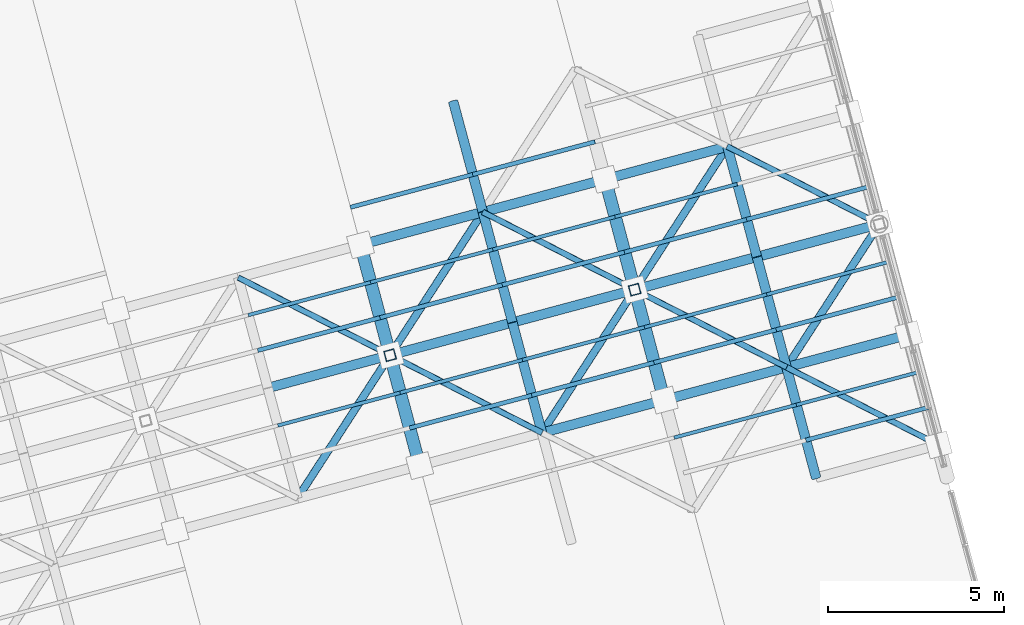
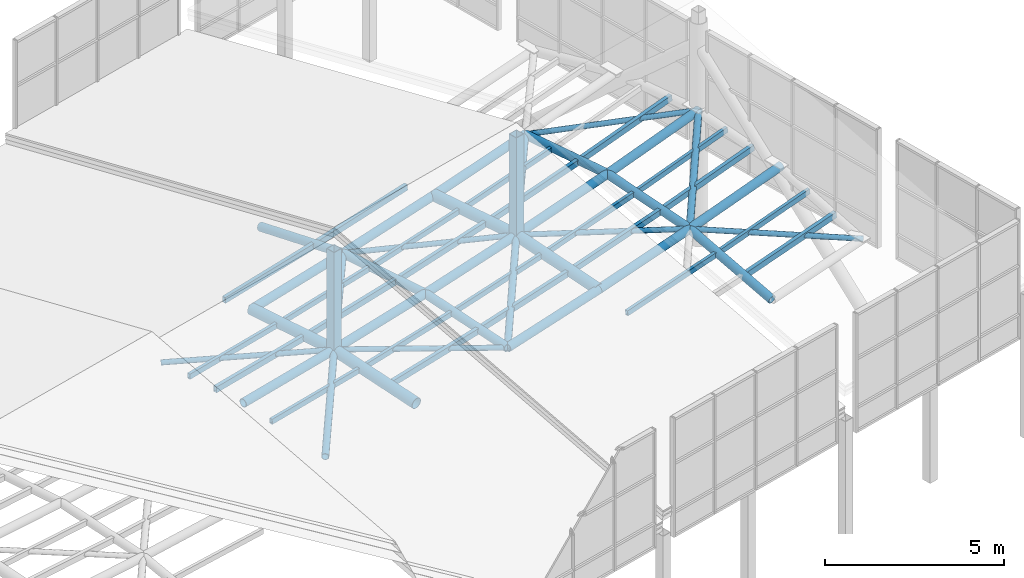
# One storey, part 16 of 28: 57 members.
"""IFC4 building model written with IfcOpenShell, lengths in metres."""

from ifc_helpers import new_model, si_unit, direction, frame, origin, origin_2d, place, context, subcontext, project, spatial, hollow_rectangle, hollow_circle, extrude, material, material_profile, profile_set, type_object, element, save


model = new_model("IFC4")

# Units and contexts
model_context = context("Model", 3, precision=1e-05, world=origin(), true_north=direction((0.0, 1.0)))
body_context = subcontext(model_context, "Body", "Model", "MODEL_VIEW")
ifc_project = project(units=[si_unit("LENGTHUNIT", "METRE"), si_unit("AREAUNIT", "SQUARE_METRE"), si_unit("VOLUMEUNIT", "CUBIC_METRE"), si_unit("PLANEANGLEUNIT", "RADIAN"), si_unit("MASSUNIT", "GRAM", prefix="KILO")], contexts=[model_context])

# Site, building, storey
site_placement = place(None, origin())
site = spatial("IfcSite", under=ifc_project, at=site_placement, CompositionType="ELEMENT")
building_placement = place(site_placement, origin())
building = spatial("IfcBuilding", under=site, at=building_placement, Name="Ventoquebrada Cableway Terminal", CompositionType="ELEMENT")
storey_placement = place(building_placement, frame((0.0, 0.0, 23.39990234375)))
storey = spatial("IfcBuildingStorey", under=building, at=storey_placement, Name="RF", CompositionType="ELEMENT", Elevation=23.39990234375)

# Members
ifc_material = material(Name="Steel ASTM A500 Grade C", Category="steel")
ifc_material_profile_1 = material_profile(ifc_material, hollow_circle(Radius=0.109619140625, WallThickness=0.010009765625, at=origin_2d()), Name="CHS219.1X10")
ifc_profile_set_1 = profile_set([ifc_material_profile_1], Name="Steel ASTM A500 Grade C")
member_type_1 = type_object("IfcMemberType", Name="BRC-GS01", PredefinedType="BRACE", material=ifc_profile_set_1)
member_1_placement = place(storey_placement, frame((66.841064453125, 83.861083984375, -0.204833984375), z_axis=(0.54270611612, 0.838110751152, 0.055140187958), x_axis=(-0.839387776795, 0.543533035028, 0.0)))
element("IfcMember", 1, at=member_1_placement, inside=storey, type_object=member_type_1, Name="Saddle gridshell diagrid brace GBR-0322", PredefinedType="BRACE", context=body_context, shape_type="SweptSolid", body=[
    extrude(hollow_circle(Radius=0.109619140625, WallThickness=0.010009765625, at=origin_2d()), origin(), (0.0, 0.0, 1.0), 4.857177734375),
])
member_2_placement = place(storey_placement, frame((69.47705078125, 87.931884765625, 0.06298828125), z_axis=(0.543522253057, 0.839110598067, -0.021839520214), x_axis=(-0.839310782724, 0.543651919892, 0.0)))
element("IfcMember", 2, at=member_2_placement, inside=storey, type_object=member_type_1, Name="Saddle gridshell diagrid brace GBR-0349", PredefinedType="BRACE", context=body_context, shape_type="SweptSolid", body=[
    extrude(hollow_circle(Radius=0.109619140625, WallThickness=0.010009765625, at=origin_2d()), origin(), (0.0, 0.0, 1.0), 4.8515625),
])
member_3_placement = place(storey_placement, frame((73.7958984375, 85.72412109375, -0.04296875), z_axis=(0.541186086306, 0.835763341953, 0.09282917772), x_axis=(-0.839387776795, 0.543533035028, 0.0)))
element("IfcMember", 3, at=member_3_placement, inside=storey, type_object=member_type_1, Name="Saddle gridshell diagrid brace GBR-0370", PredefinedType="BRACE", context=body_context, shape_type="SweptSolid", body=[
    extrude(hollow_circle(Radius=0.109619140625, WallThickness=0.010009765625, at=origin_2d()), origin(), (0.0, 0.0, 1.0), 4.870849609375),
])
member_4_placement = place(storey_placement, frame((76.431884765625, 89.794921875, 0.4091796875), z_axis=(0.54353223096, 0.839359136068, 0.006996756816), x_axis=(-0.83937968207, 0.543545535652, 0.0)))
element("IfcMember", 4, at=member_4_placement, inside=storey, type_object=member_type_1, Name="Saddle gridshell diagrid brace GBR-0397", PredefinedType="BRACE", context=body_context, shape_type="SweptSolid", body=[
    extrude(hollow_circle(Radius=0.109619140625, WallThickness=0.010009765625, at=origin_2d()), origin(), (0.0, 0.0, 1.0), 4.85009765625),
])
member_5_placement = place(storey_placement, frame((80.75, 87.587890625, 0.443115234375), z_axis=(0.538732586686, 0.831716126562, 0.134221774907), x_axis=(-0.839310782724, 0.543651919892, 0.0)))
element("IfcMember", 5, at=member_5_placement, inside=storey, type_object=member_type_1, Name="Saddle gridshell diagrid brace GBR-0418", PredefinedType="BRACE", context=body_context, shape_type="SweptSolid", body=[
    extrude(hollow_circle(Radius=0.109619140625, WallThickness=0.010009765625, at=origin_2d()), origin(), (0.0, 0.0, 1.0), 4.894775390625),
])
ifc_material_profile_2 = material_profile(ifc_material, hollow_circle(Radius=0.084228515625, WallThickness=0.008056640625, at=origin_2d()), Name="CHS168.3X8")
ifc_profile_set_2 = profile_set([ifc_material_profile_2], Name="Steel ASTM A500 Grade C")
member_type_2 = type_object("IfcMemberType", Name="BRC-GS02", PredefinedType="BRACE", material=ifc_profile_set_2)
member_6_placement = place(storey_placement, frame((65.158935546875, 90.138916015625, -0.204833984375), z_axis=(0.889080290332, -0.454417698004, 0.055143386583), x_axis=(0.455110172756, 0.890435135568, 0.0)))
element("IfcMember", 6, at=member_6_placement, inside=storey, type_object=member_type_2, Name="Saddle gridshell diagrid brace GBR-0325", PredefinedType="BRACE", context=body_context, shape_type="SweptSolid", body=[
    extrude(hollow_circle(Radius=0.084228515625, WallThickness=0.008056640625, at=origin_2d()), origin(), (0.0, 0.0, 1.0), 4.85693359375),
])
member_7_placement = place(storey_placement, frame((69.47705078125, 87.931884765625, 0.06298828125), z_axis=(0.890192843045, -0.455060140173, -0.021839666132), x_axis=(0.45516870426, 0.890405217113, 0.0)))
element("IfcMember", 7, at=member_7_placement, inside=storey, type_object=member_type_2, Name="Saddle gridshell diagrid brace GBR-0346", PredefinedType="BRACE", context=body_context, shape_type="SweptSolid", body=[
    extrude(hollow_circle(Radius=0.084228515625, WallThickness=0.008056640625, at=origin_2d()), origin(), (0.0, 0.0, 1.0), 4.8515625),
])
member_8_placement = place(storey_placement, frame((72.114013671875, 92.0029296875, -0.04296875), z_axis=(0.886498543226, -0.453324257884, 0.09283022176), x_axis=(0.455290222831, 0.890343087239, 0.0)))
element("IfcMember", 8, at=member_8_placement, inside=storey, type_object=member_type_2, Name="Saddle gridshell diagrid brace GBR-0373", PredefinedType="BRACE", context=body_context, shape_type="SweptSolid", body=[
    extrude(hollow_circle(Radius=0.084228515625, WallThickness=0.008056640625, at=origin_2d()), origin(), (0.0, 0.0, 1.0), 4.87060546875),
])
member_9_placement = place(storey_placement, frame((76.431884765625, 89.794921875, 0.4091796875), z_axis=(0.890413334279, -0.455099029902, 0.006997651013), x_axis=(0.455110172756, 0.890435135568, 0.0)))
element("IfcMember", 9, at=member_9_placement, inside=storey, type_object=member_type_2, Name="Saddle gridshell diagrid brace GBR-0394", PredefinedType="BRACE", context=body_context, shape_type="SweptSolid", body=[
    extrude(hollow_circle(Radius=0.084228515625, WallThickness=0.008056640625, at=origin_2d()), origin(), (0.0, 0.0, 1.0), 4.849609375),
])
member_10_placement = place(storey_placement, frame((80.75, 87.587890625, 0.443115234375), z_axis=(0.885458483806, -0.45266443545, -0.105157892402), x_axis=(0.455188209039, 0.890395246142, 0.0)))
element("IfcMember", 10, at=member_10_placement, inside=storey, type_object=member_type_2, Name="Saddle gridshell diagrid brace GBR-0415", PredefinedType="BRACE", context=body_context, shape_type="SweptSolid", body=[
    extrude(hollow_circle(Radius=0.084228515625, WallThickness=0.008056640625, at=origin_2d()), origin(), (0.0, 0.0, 1.0), 4.877685546875),
])
member_11_placement = place(storey_placement, frame((79.068115234375, 93.865966796875, 0.443115234375), z_axis=(0.882407665793, -0.450930768727, 0.134231714452), x_axis=(0.455048974729, 0.890466411831, 0.0)))
element("IfcMember", 11, at=member_11_placement, inside=storey, type_object=member_type_2, Name="Saddle gridshell diagrid brace GBR-0421", PredefinedType="BRACE", context=body_context, shape_type="SweptSolid", body=[
    extrude(hollow_circle(Radius=0.084228515625, WallThickness=0.008056640625, at=origin_2d()), origin(), (0.0, 0.0, 1.0), 4.894287109375),
])
ifc_material_profile_3 = material_profile(ifc_material, hollow_circle(Radius=0.177734375, WallThickness=0.012451171875, at=origin_2d()), Name="CHS355.6X12.5")
ifc_profile_set_3 = profile_set([ifc_material_profile_3], Name="Steel ASTM A500 Grade C")
member_type_3 = type_object("IfcMemberType", Name="CHD-GS01", PredefinedType="CHORD", material=ifc_profile_set_3)
member_12_placement = place(storey_placement, frame((70.318115234375, 84.7919921875, -0.163818359375), z_axis=(-0.258114799549, 0.96360361016, 0.069604832738), x_axis=(-0.965946375494, -0.258742342242, 0.0)))
element("IfcMember", 12, at=member_12_placement, inside=storey, type_object=member_type_3, Name="Saddle gridshell arch chord GCH-0066", PredefinedType="CHORD", context=body_context, shape_type="SweptSolid", body=[
    extrude(hollow_circle(Radius=0.177734375, WallThickness=0.012451171875, at=origin_2d()), origin(), (0.0, 0.0, 1.0), 3.258544921875),
])
member_13_placement = place(storey_placement, frame((69.47705078125, 87.931884765625, 0.06298828125), z_axis=(-0.258170716916, 0.963587540815, -0.069619911761), x_axis=(-0.965931285943, -0.258798668539, 0.0)))
element("IfcMember", 13, at=member_13_placement, inside=storey, type_object=member_type_3, Name="Saddle gridshell arch chord GCH-0067", PredefinedType="CHORD", context=body_context, shape_type="SweptSolid", body=[
    extrude(hollow_circle(Radius=0.177734375, WallThickness=0.012451171875, at=origin_2d()), origin(), (0.0, 0.0, 1.0), 3.2578125),
])
member_14_placement = place(storey_placement, frame((77.27294921875, 86.656005859375, 0.1591796875), z_axis=(-0.25805493216, 0.963080482666, 0.076704862273), x_axis=(-0.965926253902, -0.258817449225, 0.0)))
element("IfcMember", 14, at=member_14_placement, inside=storey, type_object=member_type_3, Name="Saddle gridshell arch chord GCH-0082", PredefinedType="CHORD", context=body_context, shape_type="SweptSolid", body=[
    extrude(hollow_circle(Radius=0.177734375, WallThickness=0.012451171875, at=origin_2d()), origin(), (0.0, 0.0, 1.0), 3.25927734375),
])
member_15_placement = place(storey_placement, frame((76.431884765625, 89.794921875, 0.4091796875), z_axis=(-0.257891982727, 0.963126214236, -0.07667868476), x_axis=(-0.965970169845, -0.258653495953, 0.0)))
element("IfcMember", 15, at=member_15_placement, inside=storey, type_object=member_type_3, Name="Saddle gridshell arch chord GCH-0083", PredefinedType="CHORD", context=body_context, shape_type="SweptSolid", body=[
    extrude(hollow_circle(Radius=0.177734375, WallThickness=0.012451171875, at=origin_2d()), origin(), (0.0, 0.0, 1.0), 3.26025390625),
])
ifc_material_profile_4 = material_profile(ifc_material, hollow_circle(Radius=0.136474609375, WallThickness=0.012451171875, at=origin_2d()), Name="CHS273.0X12.5")
ifc_profile_set_4 = profile_set([ifc_material_profile_4], Name="Steel ASTM A500 Grade C")
member_type_4 = type_object("IfcMemberType", Name="CHD-GS02", PredefinedType="CHORD", material=ifc_profile_set_4)
member_16_placement = place(storey_placement, frame((73.7958984375, 85.72412109375, -0.04296875), z_axis=(-0.258067194043, 0.963405898321, 0.072459633171), x_axis=(-0.965945033724, -0.258747351337, 0.0)))
element("IfcMember", 16, at=member_16_placement, inside=storey, type_object=member_type_4, Name="Saddle gridshell arch chord GCH-0074", PredefinedType="CHORD", context=body_context, shape_type="SweptSolid", body=[
    extrude(hollow_circle(Radius=0.136474609375, WallThickness=0.012451171875, at=origin_2d()), origin(), (0.0, 0.0, 1.0), 3.258056640625),
])
member_17_placement = place(storey_placement, frame((72.955078125, 88.863037109375, 0.193115234375), z_axis=(-0.258062617577, 0.963408802514, -0.072437315297), x_axis=(-0.965946375494, -0.258742342242, 0.0)))
element("IfcMember", 17, at=member_17_placement, inside=storey, type_object=member_type_4, Name="Saddle gridshell arch chord GCH-0075", PredefinedType="CHORD", context=body_context, shape_type="SweptSolid", body=[
    extrude(hollow_circle(Radius=0.136474609375, WallThickness=0.012451171875, at=origin_2d()), origin(), (0.0, 0.0, 1.0), 3.259033203125),
])
member_18_placement = place(storey_placement, frame((72.114013671875, 92.0029296875, -0.04296875), z_axis=(-0.253158101008, 0.943782795812, -0.212567660342), x_axis=(-0.965856133614, -0.259079001776, 0.0)))
element("IfcMember", 18, at=member_18_placement, inside=storey, type_object=member_type_4, Name="Saddle gridshell arch chord GCH-0076", PredefinedType="CHORD", context=body_context, shape_type="SweptSolid", body=[
    extrude(hollow_circle(Radius=0.136474609375, WallThickness=0.012451171875, at=origin_2d()), origin(), (0.0, 0.0, 1.0), 3.326171875),
])
member_19_placement = place(storey_placement, frame((81.592041015625, 84.447998046875, -0.36181640625), z_axis=(-0.251429769219, 0.937558208736, 0.240349071939), x_axis=(-0.965871254698, -0.259022623237, 0.0)))
element("IfcMember", 19, at=member_19_placement, inside=storey, type_object=member_type_4, Name="Saddle gridshell arch chord GCH-0089", PredefinedType="CHORD", context=body_context, shape_type="SweptSolid", body=[
    extrude(hollow_circle(Radius=0.136474609375, WallThickness=0.012451171875, at=origin_2d()), origin(), (0.0, 0.0, 1.0), 3.34912109375),
])
member_20_placement = place(storey_placement, frame((80.75, 87.587890625, 0.443115234375), z_axis=(-0.257922731093, 0.962661967021, 0.082205851594), x_axis=(-0.965931285943, -0.258798668539, 0.0)))
element("IfcMember", 20, at=member_20_placement, inside=storey, type_object=member_type_4, Name="Saddle gridshell arch chord GCH-0090", PredefinedType="CHORD", context=body_context, shape_type="SweptSolid", body=[
    extrude(hollow_circle(Radius=0.136474609375, WallThickness=0.012451171875, at=origin_2d()), origin(), (0.0, 0.0, 1.0), 3.260986328125),
])
member_21_placement = place(storey_placement, frame((79.908935546875, 90.72705078125, 0.711181640625), z_axis=(-0.257871427229, 0.962675069651, -0.08221336443), x_axis=(-0.965945033724, -0.258747351337, 0.0)))
element("IfcMember", 21, at=member_21_placement, inside=storey, type_object=member_type_4, Name="Saddle gridshell arch chord GCH-0091", PredefinedType="CHORD", context=body_context, shape_type="SweptSolid", body=[
    extrude(hollow_circle(Radius=0.136474609375, WallThickness=0.012451171875, at=origin_2d()), origin(), (0.0, 0.0, 1.0), 3.260498046875),
])
member_22_placement = place(storey_placement, frame((73.7958984375, 85.72412109375, -0.04296875), z_axis=(0.964391705855, 0.258466728075, 0.056067710465), x_axis=(-0.258873944891, 0.965911114263, 0.0)))
element("IfcMember", 22, at=member_22_placement, inside=storey, type_object=member_type_4, Name="Saddle gridshell longitudinal chord GLG-0140", PredefinedType="CHORD", context=body_context, shape_type="SweptSolid", body=[
    extrude(hollow_circle(Radius=0.136474609375, WallThickness=0.012451171875, at=origin_2d()), origin(), (0.0, 0.0, 1.0), 3.60546875),
])
member_23_placement = place(storey_placement, frame((77.27294921875, 86.656005859375, 0.1591796875), z_axis=(0.962920377015, 0.25807239707, 0.078631961696), x_axis=(-0.258873944891, 0.965911114263, 0.0)))
element("IfcMember", 23, at=member_23_placement, inside=storey, type_object=member_type_4, Name="Saddle gridshell longitudinal chord GLG-0141", PredefinedType="CHORD", context=body_context, shape_type="SweptSolid", body=[
    extrude(hollow_circle(Radius=0.136474609375, WallThickness=0.012451171875, at=origin_2d()), origin(), (0.0, 0.0, 1.0), 3.61083984375),
])
member_24_placement = place(storey_placement, frame((80.75, 87.587890625, 0.443115234375), z_axis=(0.961080865209, 0.257304676394, 0.100587643551), x_axis=(-0.258616326312, 0.965980121827, 0.0)))
element("IfcMember", 24, at=member_24_placement, inside=storey, type_object=member_type_4, Name="Saddle gridshell longitudinal chord GLG-0142", PredefinedType="CHORD", context=body_context, shape_type="SweptSolid", body=[
    extrude(hollow_circle(Radius=0.136474609375, WallThickness=0.012451171875, at=origin_2d()), origin(), (0.0, 0.0, 1.0), 3.618896484375),
])
member_25_placement = place(storey_placement, frame((66.0, 87.0, 0.02001953125), z_axis=(0.965842309507, 0.258855504521, 0.011935700497), x_axis=(-0.258873944891, 0.965911114263, 0.0)))
element("IfcMember", 25, at=member_25_placement, inside=storey, type_object=member_type_4, Name="Saddle gridshell longitudinal chord GLG-0148", PredefinedType="CHORD", context=body_context, shape_type="SweptSolid", body=[
    extrude(hollow_circle(Radius=0.136474609375, WallThickness=0.012451171875, at=origin_2d()), origin(), (0.0, 0.0, 1.0), 3.60009765625),
])
member_26_placement = place(storey_placement, frame((69.47705078125, 87.931884765625, 0.06298828125), z_axis=(0.965349864485, 0.258447591124, 0.036117610401), x_axis=(-0.258616326312, 0.965980121827, 0.0)))
element("IfcMember", 26, at=member_26_placement, inside=storey, type_object=member_type_4, Name="Saddle gridshell longitudinal chord GLG-0149", PredefinedType="CHORD", context=body_context, shape_type="SweptSolid", body=[
    extrude(hollow_circle(Radius=0.136474609375, WallThickness=0.012451171875, at=origin_2d()), origin(), (0.0, 0.0, 1.0), 3.602783203125),
])
member_27_placement = place(storey_placement, frame((72.955078125, 88.863037109375, 0.193115234375), z_axis=(0.964171130087, 0.258425756867, 0.059917944676), x_axis=(-0.258890904628, 0.965906568722, 0.0)))
element("IfcMember", 27, at=member_27_placement, inside=storey, type_object=member_type_4, Name="Saddle gridshell longitudinal chord GLG-0150", PredefinedType="CHORD", context=body_context, shape_type="SweptSolid", body=[
    extrude(hollow_circle(Radius=0.136474609375, WallThickness=0.012451171875, at=origin_2d()), origin(), (0.0, 0.0, 1.0), 3.60595703125),
])
member_28_placement = place(storey_placement, frame((76.431884765625, 89.794921875, 0.4091796875), z_axis=(0.962512953096, 0.25803078605, 0.083599812033), x_axis=(-0.258937219442, 0.965894153822, 0.0)))
element("IfcMember", 28, at=member_28_placement, inside=storey, type_object=member_type_4, Name="Saddle gridshell longitudinal chord GLG-0151", PredefinedType="CHORD", context=body_context, shape_type="SweptSolid", body=[
    extrude(hollow_circle(Radius=0.136474609375, WallThickness=0.012451171875, at=origin_2d()), origin(), (0.0, 0.0, 1.0), 3.612548828125),
])
member_29_placement = place(storey_placement, frame((79.908935546875, 90.72705078125, 0.711181640625), z_axis=(0.960343661369, 0.257309543412, 0.107386456027), x_axis=(-0.25880612736, 0.965929287495, 0.0)))
element("IfcMember", 29, at=member_29_placement, inside=storey, type_object=member_type_4, Name="Saddle gridshell longitudinal chord GLG-0152", PredefinedType="CHORD", context=body_context, shape_type="SweptSolid", body=[
    extrude(hollow_circle(Radius=0.136474609375, WallThickness=0.012451171875, at=origin_2d()), origin(), (0.0, 0.0, 1.0), 3.62158203125),
])
member_30_placement = place(storey_placement, frame((68.635986328125, 91.071044921875, -0.163818359375), z_axis=(0.965385707077, 0.258660483217, 0.0335438667), x_axis=(-0.25880612736, 0.965929287495, 0.0)))
element("IfcMember", 30, at=member_30_placement, inside=storey, type_object=member_type_4, Name="Saddle gridshell longitudinal chord GLG-0159", PredefinedType="CHORD", context=body_context, shape_type="SweptSolid", body=[
    extrude(hollow_circle(Radius=0.136474609375, WallThickness=0.012451171875, at=origin_2d()), origin(), (0.0, 0.0, 1.0), 3.602783203125),
])
member_31_placement = place(storey_placement, frame((72.114013671875, 92.0029296875, -0.04296875), z_axis=(0.964374825325, 0.258529917363, 0.056066729067), x_axis=(-0.258937219442, 0.965894153822, 0.0)))
element("IfcMember", 31, at=member_31_placement, inside=storey, type_object=member_type_4, Name="Saddle gridshell longitudinal chord GLG-0160", PredefinedType="CHORD", context=body_context, shape_type="SweptSolid", body=[
    extrude(hollow_circle(Radius=0.136474609375, WallThickness=0.012451171875, at=origin_2d()), origin(), (0.0, 0.0, 1.0), 3.60546875),
])
member_32_placement = place(storey_placement, frame((75.591064453125, 92.93505859375, 0.1591796875), z_axis=(0.962987555336, 0.257819937403, 0.078637447469), x_axis=(-0.258620813366, 0.965978920523, 0.0)))
element("IfcMember", 32, at=member_32_placement, inside=storey, type_object=member_type_4, Name="Saddle gridshell longitudinal chord GLG-0161", PredefinedType="CHORD", context=body_context, shape_type="SweptSolid", body=[
    extrude(hollow_circle(Radius=0.136474609375, WallThickness=0.012451171875, at=origin_2d()), origin(), (0.0, 0.0, 1.0), 3.610595703125),
])
ifc_material_profile_5 = material_profile(ifc_material, hollow_rectangle(XDim=0.1201171875, YDim=0.199951171875, WallThickness=0.008056640625, at=origin_2d()), Name="RHS200X120X8")
ifc_profile_set_5 = profile_set([ifc_material_profile_5], Name="Steel ASTM A500 Grade C")
member_type_5 = type_object("IfcMemberType", Name="PUR-RF01", PredefinedType="PURLIN", material=ifc_profile_set_5)
member_33_placement = place(storey_placement, frame((65.714111328125, 88.06689453125, -0.056884765625), z_axis=(0.965820796317, 0.258935734874, 0.011936272744), x_axis=(-0.258954182729, 0.965889606139, 0.0)))
element("IfcMember", 33, at=member_33_placement, inside=storey, type_object=member_type_5, Name="Gridshell secondary roof purlin GPR-0326", PredefinedType="PURLIN", context=body_context, shape_type="SweptSolid", body=[
    extrude(hollow_rectangle(XDim=0.1201171875, YDim=0.199951171875, WallThickness=0.008056640625, at=origin_2d()), origin(), (0.0, 0.0, 1.0), 3.599853515625),
])
member_34_placement = place(storey_placement, frame((70.031982421875, 85.860107421875, -0.0869140625), z_axis=(0.96542445774, 0.258399793441, 0.034426198549), x_axis=(-0.258553052639, 0.965997059504, 0.0)))
element("IfcMember", 34, at=member_34_placement, inside=storey, type_object=member_type_5, Name="Gridshell secondary roof purlin GPR-0347", PredefinedType="PURLIN", context=body_context, shape_type="SweptSolid", body=[
    extrude(hollow_rectangle(XDim=0.1201171875, YDim=0.199951171875, WallThickness=0.008056640625, at=origin_2d()), origin(), (0.0, 0.0, 1.0), 3.6025390625),
])
member_35_placement = place(storey_placement, frame((69.19091796875, 88.9990234375, -0.013916015625), z_axis=(0.965329465846, 0.258645414231, 0.035235948494), x_axis=(-0.25880612736, 0.965929287495, 0.0)))
element("IfcMember", 35, at=member_35_placement, inside=storey, type_object=member_type_5, Name="Gridshell secondary roof purlin GPR-0350", PredefinedType="PURLIN", context=body_context, shape_type="SweptSolid", body=[
    extrude(hollow_rectangle(XDim=0.1201171875, YDim=0.199951171875, WallThickness=0.008056640625, at=origin_2d()), origin(), (0.0, 0.0, 1.0), 3.60302734375),
])
member_36_placement = place(storey_placement, frame((68.35009765625, 92.137939453125, -0.39697265625), z_axis=(0.965423887291, 0.258756644554, 0.031649909117), x_axis=(-0.258886342435, 0.96590779151, 0.0)))
element("IfcMember", 36, at=member_36_placement, inside=storey, type_object=member_type_5, Name="Gridshell secondary roof purlin GPR-0353", PredefinedType="PURLIN", context=body_context, shape_type="SweptSolid", body=[
    extrude(hollow_rectangle(XDim=0.1201171875, YDim=0.199951171875, WallThickness=0.008056640625, at=origin_2d()), origin(), (0.0, 0.0, 1.0), 3.602294921875),
])
member_37_placement = place(storey_placement, frame((73.510009765625, 86.791015625, 0.037109375), z_axis=(0.964317601728, 0.25844686742, 0.057417590666), x_axis=(-0.258873944891, 0.965911114263, 0.0)))
element("IfcMember", 37, at=member_37_placement, inside=storey, type_object=member_type_5, Name="Gridshell secondary roof purlin GPR-0371", PredefinedType="PURLIN", context=body_context, shape_type="SweptSolid", body=[
    extrude(hollow_rectangle(XDim=0.1201171875, YDim=0.199951171875, WallThickness=0.008056640625, at=origin_2d()), origin(), (0.0, 0.0, 1.0), 3.605712890625),
])
member_38_placement = place(storey_placement, frame((72.6689453125, 89.930908203125, 0.113037109375), z_axis=(0.964236363268, 0.25849279841, 0.058563716769), x_axis=(-0.258937219442, 0.965894153822, 0.0)))
element("IfcMember", 38, at=member_38_placement, inside=storey, type_object=member_type_5, Name="Gridshell secondary roof purlin GPR-0374", PredefinedType="PURLIN", context=body_context, shape_type="SweptSolid", body=[
    extrude(hollow_rectangle(XDim=0.1201171875, YDim=0.199951171875, WallThickness=0.008056640625, at=origin_2d()), origin(), (0.0, 0.0, 1.0), 3.60595703125),
])
member_39_placement = place(storey_placement, frame((71.827880859375, 93.070068359375, -0.282958984375), z_axis=(0.964596695376, 0.25852166734, 0.052151344996), x_axis=(-0.258873944891, 0.965911114263, 0.0)))
element("IfcMember", 39, at=member_39_placement, inside=storey, type_object=member_type_5, Name="Gridshell secondary roof purlin GPR-0377", PredefinedType="PURLIN", context=body_context, shape_type="SweptSolid", body=[
    extrude(hollow_rectangle(XDim=0.1201171875, YDim=0.199951171875, WallThickness=0.008056640625, at=origin_2d()), origin(), (0.0, 0.0, 1.0), 3.604736328125),
])
for number, where, z_axis, x_axis, name in (
    (40, (76.987060546875, 87.722900390625, 0.244140625), (0.962774248899, 0.258100834314, 0.080310055308), (-0.258937219442, 0.965894153822, 0.0), "Gridshell secondary roof purlin GPR-0395"),
    (41, (76.14599609375, 90.863037109375, 0.32421875), (0.962731474842, 0.257751377164, 0.081928840578), (-0.258620813366, 0.965978920523, 0.0), "Gridshell secondary roof purlin GPR-0398"),
):
    element("IfcMember", number, at=place(storey_placement, frame(where, z_axis=z_axis, x_axis=x_axis)), inside=storey, type_object=member_type_5, Name=name, PredefinedType="PURLIN", context=body_context, shape_type="SweptSolid", body=[
        extrude(hollow_rectangle(XDim=0.1201171875, YDim=0.199951171875, WallThickness=0.008056640625, at=origin_2d()), origin(), (0.0, 0.0, 1.0), 3.611572265625),
    ])
member_40_placement = place(storey_placement, frame((81.305908203125, 85.51611328125, -0.087890625), z_axis=(0.962279792874, 0.257630448689, 0.087430842015), x_axis=(-0.258620813366, 0.965978920523, 0.0)))
element("IfcMember", 42, at=member_40_placement, inside=storey, type_object=member_type_5, Name="Gridshell secondary roof purlin GPR-0416", PredefinedType="PURLIN", context=body_context, shape_type="SweptSolid", body=[
    extrude(hollow_rectangle(XDim=0.1201171875, YDim=0.199951171875, WallThickness=0.008056640625, at=origin_2d()), origin(), (0.0, 0.0, 1.0), 3.61328125),
])
member_41_placement = place(storey_placement, frame((80.464111328125, 88.655029296875, 0.5341796875), z_axis=(0.96078811886, 0.257446700575, 0.102992169709), x_axis=(-0.258823078531, 0.965924745526, 0.0)))
element("IfcMember", 43, at=member_41_placement, inside=storey, type_object=member_type_5, Name="Gridshell secondary roof purlin GPR-0419", PredefinedType="PURLIN", context=body_context, shape_type="SweptSolid", body=[
    extrude(hollow_rectangle(XDim=0.1201171875, YDim=0.199951171875, WallThickness=0.008056640625, at=origin_2d()), origin(), (0.0, 0.0, 1.0), 3.61962890625),
])
member_42_placement = place(storey_placement, frame((79.623046875, 91.7939453125, 0.6201171875), z_axis=(0.960581326504, 0.257440650329, 0.104918190653), x_axis=(-0.258869387716, 0.96591233562, 0.0)))
element("IfcMember", 44, at=member_42_placement, inside=storey, type_object=member_type_5, Name="Gridshell secondary roof purlin GPR-0422", PredefinedType="PURLIN", context=body_context, shape_type="SweptSolid", body=[
    extrude(hollow_rectangle(XDim=0.1201171875, YDim=0.199951171875, WallThickness=0.008056640625, at=origin_2d()), origin(), (0.0, 0.0, 1.0), 3.620849609375),
])
ifc_material_profile_6 = material_profile(ifc_material, hollow_rectangle(XDim=0.10009765625, YDim=0.179931640625, WallThickness=0.008056640625, at=origin_2d()), Name="RHS180X100X8")
ifc_profile_set_6 = profile_set([ifc_material_profile_6], Name="Steel ASTM A500 Grade C")
member_type_6 = type_object("IfcMemberType", Name="PUR-RF02", PredefinedType="PURLIN", material=ifc_profile_set_6)
member_43_placement = place(storey_placement, frame((66.285888671875, 85.93310546875, -0.055908203125), z_axis=(0.965913193561, 0.258603216335, 0.01166529064), x_axis=(-0.258620813366, 0.965978920523, 0.0)))
element("IfcMember", 45, at=member_43_placement, inside=storey, type_object=member_type_6, Name="Gridshell secondary roof purlin GPR-0324", PredefinedType="PURLIN", context=body_context, shape_type="SweptSolid", body=[
    extrude(hollow_rectangle(XDim=0.10009765625, YDim=0.179931640625, WallThickness=0.008056640625, at=origin_2d()), origin(), (0.0, 0.0, 1.0), 3.599853515625),
])
member_44_placement = place(storey_placement, frame((65.445068359375, 89.072021484375, -0.1279296875), z_axis=(0.965848421731, 0.258857142659, 0.011393240756), x_axis=(-0.258873944891, 0.965911114263, 0.0)))
element("IfcMember", 46, at=member_44_placement, inside=storey, type_object=member_type_6, Name="Gridshell secondary roof purlin GPR-0327", PredefinedType="PURLIN", context=body_context, shape_type="SweptSolid", body=[
    extrude(hollow_rectangle(XDim=0.10009765625, YDim=0.179931640625, WallThickness=0.008056640625, at=origin_2d()), origin(), (0.0, 0.0, 1.0), 3.60009765625),
])
member_45_placement = place(storey_placement, frame((69.762939453125, 86.864013671875, -0.013916015625), z_axis=(0.965329465846, 0.258645414231, 0.035235948494), x_axis=(-0.25880612736, 0.965929287495, 0.0)))
element("IfcMember", 47, at=member_45_placement, inside=storey, type_object=member_type_6, Name="Gridshell secondary roof purlin GPR-0348", PredefinedType="PURLIN", context=body_context, shape_type="SweptSolid", body=[
    extrude(hollow_rectangle(XDim=0.10009765625, YDim=0.179931640625, WallThickness=0.008056640625, at=origin_2d()), origin(), (0.0, 0.0, 1.0), 3.60302734375),
])
member_46_placement = place(storey_placement, frame((68.922119140625, 90.00390625, -0.0869140625), z_axis=(0.965402942357, 0.258479945395, 0.034427847997), x_axis=(-0.258633266835, 0.965975586279, 0.0)))
element("IfcMember", 48, at=member_46_placement, inside=storey, type_object=member_type_6, Name="Gridshell secondary roof purlin GPR-0351", PredefinedType="PURLIN", context=body_context, shape_type="SweptSolid", body=[
    extrude(hollow_rectangle(XDim=0.10009765625, YDim=0.179931640625, WallThickness=0.008056640625, at=origin_2d()), origin(), (0.0, 0.0, 1.0), 3.602294921875),
])
member_47_placement = place(storey_placement, frame((73.240966796875, 87.7958984375, 0.113037109375), z_axis=(0.964236363268, 0.25849279841, 0.058563716769), x_axis=(-0.258937219442, 0.965894153822, 0.0)))
element("IfcMember", 49, at=member_47_placement, inside=storey, type_object=member_type_6, Name="Gridshell secondary roof purlin GPR-0372", PredefinedType="PURLIN", context=body_context, shape_type="SweptSolid", body=[
    extrude(hollow_rectangle(XDim=0.10009765625, YDim=0.179931640625, WallThickness=0.008056640625, at=origin_2d()), origin(), (0.0, 0.0, 1.0), 3.60595703125),
])
member_48_placement = place(storey_placement, frame((72.39990234375, 90.93505859375, 0.037109375), z_axis=(0.964317601728, 0.25844686742, 0.057417590666), x_axis=(-0.258873944891, 0.965911114263, 0.0)))
element("IfcMember", 50, at=member_48_placement, inside=storey, type_object=member_type_6, Name="Gridshell secondary roof purlin GPR-0375", PredefinedType="PURLIN", context=body_context, shape_type="SweptSolid", body=[
    extrude(hollow_rectangle(XDim=0.10009765625, YDim=0.179931640625, WallThickness=0.008056640625, at=origin_2d()), origin(), (0.0, 0.0, 1.0), 3.605712890625),
])
member_49_placement = place(storey_placement, frame((77.55908203125, 85.589111328125, -0.094970703125), z_axis=(0.963383247533, 0.257943987279, 0.073195749865), x_axis=(-0.258637758898, 0.965974383549, 0.0)))
element("IfcMember", 51, at=member_49_placement, inside=storey, type_object=member_type_6, Name="Gridshell secondary roof purlin GPR-0393", PredefinedType="PURLIN", context=body_context, shape_type="SweptSolid", body=[
    extrude(hollow_rectangle(XDim=0.10009765625, YDim=0.179931640625, WallThickness=0.008056640625, at=origin_2d()), origin(), (0.0, 0.0, 1.0), 3.60888671875),
])
member_50_placement = place(storey_placement, frame((76.718017578125, 88.72802734375, 0.32421875), z_axis=(0.962664350095, 0.258003779267, 0.081923128234), x_axis=(-0.258873944891, 0.965911114263, 0.0)))
element("IfcMember", 52, at=member_50_placement, inside=storey, type_object=member_type_6, Name="Gridshell secondary roof purlin GPR-0396", PredefinedType="PURLIN", context=body_context, shape_type="SweptSolid", body=[
    extrude(hollow_rectangle(XDim=0.10009765625, YDim=0.179931640625, WallThickness=0.008056640625, at=origin_2d()), origin(), (0.0, 0.0, 1.0), 3.61181640625),
])
member_51_placement = place(storey_placement, frame((75.876953125, 91.866943359375, 0.244140625), z_axis=(0.962774248899, 0.258100834314, 0.080310055308), x_axis=(-0.258937219442, 0.965894153822, 0.0)))
element("IfcMember", 53, at=member_51_placement, inside=storey, type_object=member_type_6, Name="Gridshell secondary roof purlin GPR-0399", PredefinedType="PURLIN", context=body_context, shape_type="SweptSolid", body=[
    extrude(hollow_rectangle(XDim=0.10009765625, YDim=0.179931640625, WallThickness=0.008056640625, at=origin_2d()), origin(), (0.0, 0.0, 1.0), 3.611572265625),
])
member_52_placement = place(storey_placement, frame((81.035888671875, 86.52001953125, 0.169189453125), z_axis=(0.96165554023, 0.25766104149, 0.093964938369), x_axis=(-0.25880612736, 0.965929287495, 0.0)))
element("IfcMember", 54, at=member_52_placement, inside=storey, type_object=member_type_6, Name="Gridshell secondary roof purlin GPR-0417", PredefinedType="PURLIN", context=body_context, shape_type="SweptSolid", body=[
    extrude(hollow_rectangle(XDim=0.10009765625, YDim=0.179931640625, WallThickness=0.008056640625, at=origin_2d()), origin(), (0.0, 0.0, 1.0), 3.61669921875),
])
member_53_placement = place(storey_placement, frame((80.195068359375, 89.659912109375, 0.6201171875), z_axis=(0.960647996451, 0.25718878692, 0.104925472587), x_axis=(-0.258616326312, 0.965980121827, 0.0)))
element("IfcMember", 55, at=member_53_placement, inside=storey, type_object=member_type_6, Name="Gridshell secondary roof purlin GPR-0420", PredefinedType="PURLIN", context=body_context, shape_type="SweptSolid", body=[
    extrude(hollow_rectangle(XDim=0.10009765625, YDim=0.179931640625, WallThickness=0.008056640625, at=origin_2d()), origin(), (0.0, 0.0, 1.0), 3.62060546875),
])
ifc_material_profile_7 = material_profile(ifc_material, hollow_rectangle(XDim=0.300048828125, YDim=0.300048828125, WallThickness=0.01611328125, at=origin_2d()), Name="HSS300X300X16")
ifc_profile_set_7 = profile_set([ifc_material_profile_7], Name="Steel ASTM A500 Grade C")
member_type_7 = type_object("IfcMemberType", Name="STR-VS01", PredefinedType="STRUT", material=ifc_profile_set_7)
member_54_placement = place(storey_placement, frame((69.47705078125, 87.931884765625, 0.06298828125), z_axis=(0.0, 0.0, 1.0), x_axis=(0.965925826289, 0.258819045103, 0.0)))
element("IfcMember", 56, at=member_54_placement, inside=storey, type_object=member_type_7, Name="Gridshell deck stand-off post GS-SP-0451", PredefinedType="STRUT", context=body_context, shape_type="SweptSolid", body=[
    extrude(hollow_rectangle(XDim=0.300048828125, YDim=0.300048828125, WallThickness=0.01611328125, at=origin_2d()), origin(), (0.0, 0.0, 1.0), 3.446044921875),
])
member_55_placement = place(storey_placement, frame((76.431884765625, 89.794921875, 0.4091796875), z_axis=(0.0, 0.0, 1.0), x_axis=(0.965925826289, 0.258819045103, 0.0)))
element("IfcMember", 57, at=member_55_placement, inside=storey, type_object=member_type_7, Name="Gridshell deck stand-off post GS-SP-0456", PredefinedType="STRUT", context=body_context, shape_type="SweptSolid", body=[
    extrude(hollow_rectangle(XDim=0.300048828125, YDim=0.300048828125, WallThickness=0.01611328125, at=origin_2d()), origin(), (0.0, 0.0, 1.0), 3.44580078125),
])

save(model, "model.ifc")
